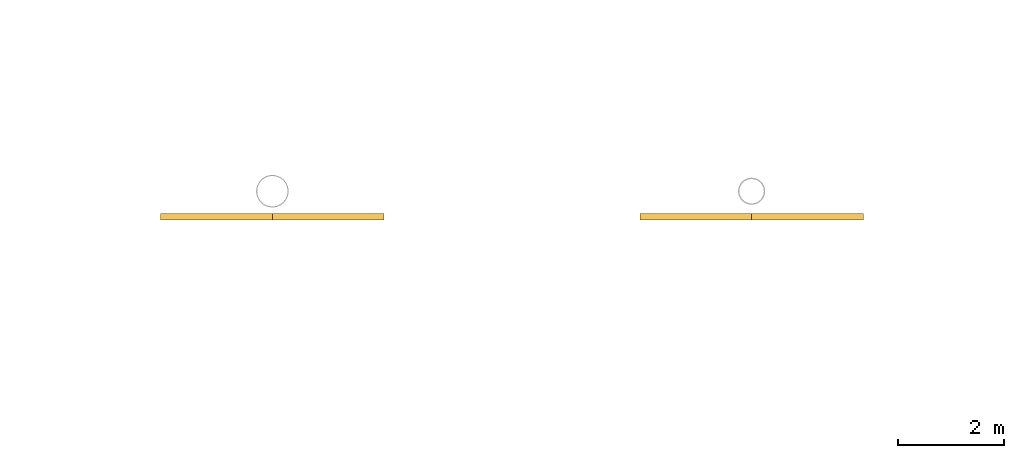
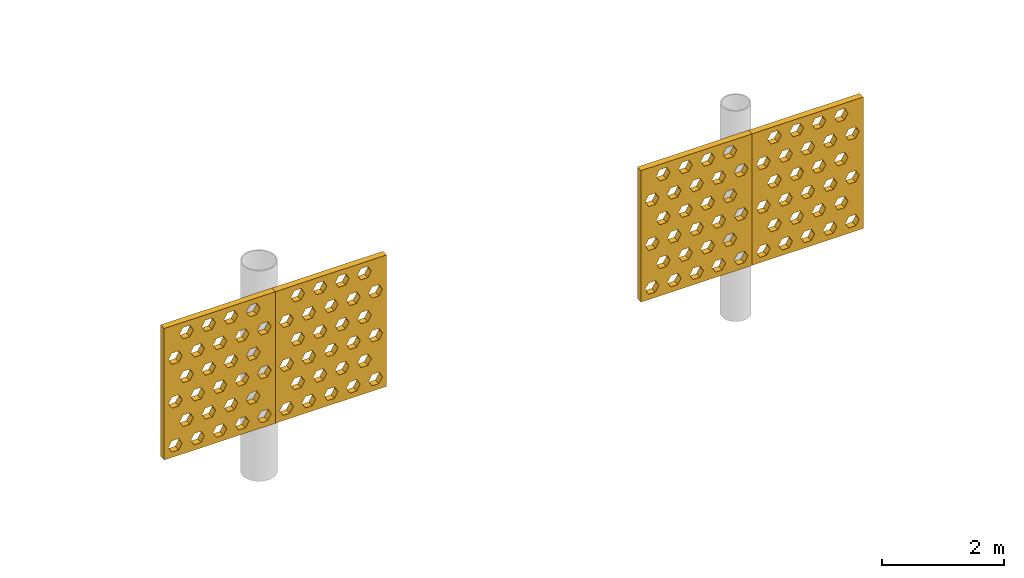
# One storey, part 107 of 123: 4 shading devices.
"""IFC4 building model written with IfcOpenShell, lengths in metres."""

from ifc_helpers import new_model, si_unit, direction, frame, origin, place, context, subcontext, project, spatial, polyline, outline, extrude, material, layer, layer_set, type_object, element, save


model = new_model("IFC4")

# Units and contexts
model_context = context("Model", 3, precision=1e-05, world=origin(), true_north=direction((0.0, 1.0)))
body_context = subcontext(model_context, "Body", "Model", "MODEL_VIEW")
ifc_project = project(units=[si_unit("LENGTHUNIT", "METRE"), si_unit("AREAUNIT", "SQUARE_METRE"), si_unit("VOLUMEUNIT", "CUBIC_METRE"), si_unit("PLANEANGLEUNIT", "RADIAN"), si_unit("MASSUNIT", "GRAM", prefix="KILO")], contexts=[model_context])

# Site, building, storey
site_placement = place(None, origin())
site = spatial("IfcSite", under=ifc_project, at=site_placement, CompositionType="ELEMENT")
building_placement = place(site_placement, origin())
building = spatial("IfcBuilding", under=site, at=building_placement, Name="Baradari Gate Terminus", CompositionType="ELEMENT")
storey_placement = place(building_placement, frame((0.0, 0.0, 7.5)))
storey = spatial("IfcBuildingStorey", under=building, at=storey_placement, Name="L01", CompositionType="ELEMENT", Elevation=7.5)

# Shading devices
ifc_material = material(Name="Concrete C50/60 precast", Category="concrete")
ifc_layer = layer(ifc_material, 0.1201171875)
ifc_layer_set = layer_set([ifc_layer], Name="Concrete C50/60 precast")
shading_device_type = type_object("IfcShadingDeviceType", Name="Jali screen panel JS-2 120", PredefinedType="SHUTTER", material=ifc_layer_set)
shading_device_1_placement = place(storey_placement, frame((186.89990234375, 35.52001953125, 1.27490234375), z_axis=(0.0, 0.0, 1.0), x_axis=(1.0, 0.0, 0.0)))
element("IfcShadingDevice", 1, at=shading_device_1_placement, inside=storey, type_object=shading_device_type, Name="Jali screen panel JS-2 SC03c row 4 panel 1", PredefinedType="SHUTTER", context=body_context, shape_type="SweptSolid", body=[
    extrude(outline(polyline([(0.0, 0.0), (2.10009765625, 0.0), (2.10009765625, 2.625), (0.0, 2.625), (0.0, 0.0)]), holes=[polyline([(0.340087890625, 0.21875), (0.27490234375, 0.106201171875), (0.14501953125, 0.106201171875), (0.080078125, 0.21875), (0.14501953125, 0.33154296875), (0.27490234375, 0.33154296875), (0.340087890625, 0.21875)]), polyline([(0.760009765625, 0.21875), (0.695068359375, 0.106201171875), (0.56494140625, 0.106201171875), (0.5, 0.21875), (0.56494140625, 0.33154296875), (0.695068359375, 0.33154296875), (0.760009765625, 0.21875)]), polyline([(1.179931640625, 0.21875), (1.114990234375, 0.106201171875), (0.985107421875, 0.106201171875), (0.919921875, 0.21875), (0.985107421875, 0.33154296875), (1.114990234375, 0.33154296875), (1.179931640625, 0.21875)]), polyline([(1.60009765625, 0.21875), (1.534912109375, 0.106201171875), (1.405029296875, 0.106201171875), (1.340087890625, 0.21875), (1.405029296875, 0.33154296875), (1.534912109375, 0.33154296875), (1.60009765625, 0.21875)]), polyline([(2.02001953125, 0.21875), (1.955078125, 0.106201171875), (1.824951171875, 0.106201171875), (1.760009765625, 0.21875), (1.824951171875, 0.33154296875), (1.955078125, 0.33154296875), (2.02001953125, 0.21875)]), polyline([(0.550048828125, 0.65625), (0.485107421875, 0.543701171875), (0.35498046875, 0.543701171875), (0.2900390625, 0.65625), (0.35498046875, 0.76904296875), (0.485107421875, 0.76904296875), (0.550048828125, 0.65625)]), polyline([(0.969970703125, 0.65625), (0.905029296875, 0.543701171875), (0.77490234375, 0.543701171875), (0.7099609375, 0.65625), (0.77490234375, 0.76904296875), (0.905029296875, 0.76904296875), (0.969970703125, 0.65625)]), polyline([(1.389892578125, 0.65625), (1.324951171875, 0.543701171875), (1.195068359375, 0.543701171875), (1.1298828125, 0.65625), (1.195068359375, 0.76904296875), (1.324951171875, 0.76904296875), (1.389892578125, 0.65625)]), polyline([(1.81005859375, 0.65625), (1.7451171875, 0.543701171875), (1.614990234375, 0.543701171875), (1.550048828125, 0.65625), (1.614990234375, 0.76904296875), (1.7451171875, 0.76904296875), (1.81005859375, 0.65625)]), polyline([(0.340087890625, 1.09375), (0.27490234375, 0.981201171875), (0.14501953125, 0.981201171875), (0.080078125, 1.09375), (0.14501953125, 1.20654296875), (0.27490234375, 1.20654296875), (0.340087890625, 1.09375)]), polyline([(0.760009765625, 1.09375), (0.695068359375, 0.981201171875), (0.56494140625, 0.981201171875), (0.5, 1.09375), (0.56494140625, 1.20654296875), (0.695068359375, 1.20654296875), (0.760009765625, 1.09375)]), polyline([(1.179931640625, 1.09375), (1.114990234375, 0.981201171875), (0.985107421875, 0.981201171875), (0.919921875, 1.09375), (0.985107421875, 1.20654296875), (1.114990234375, 1.20654296875), (1.179931640625, 1.09375)]), polyline([(1.60009765625, 1.09375), (1.534912109375, 0.981201171875), (1.405029296875, 0.981201171875), (1.340087890625, 1.09375), (1.405029296875, 1.20654296875), (1.534912109375, 1.20654296875), (1.60009765625, 1.09375)]), polyline([(2.02001953125, 1.09375), (1.955078125, 0.981201171875), (1.824951171875, 0.981201171875), (1.760009765625, 1.09375), (1.824951171875, 1.20654296875), (1.955078125, 1.20654296875), (2.02001953125, 1.09375)]), polyline([(0.550048828125, 1.53125), (0.485107421875, 1.418701171875), (0.35498046875, 1.418701171875), (0.2900390625, 1.53125), (0.35498046875, 1.64404296875), (0.485107421875, 1.64404296875), (0.550048828125, 1.53125)]), polyline([(0.969970703125, 1.53125), (0.905029296875, 1.418701171875), (0.77490234375, 1.418701171875), (0.7099609375, 1.53125), (0.77490234375, 1.64404296875), (0.905029296875, 1.64404296875), (0.969970703125, 1.53125)]), polyline([(1.389892578125, 1.53125), (1.324951171875, 1.418701171875), (1.195068359375, 1.418701171875), (1.1298828125, 1.53125), (1.195068359375, 1.64404296875), (1.324951171875, 1.64404296875), (1.389892578125, 1.53125)]), polyline([(1.81005859375, 1.53125), (1.7451171875, 1.418701171875), (1.614990234375, 1.418701171875), (1.550048828125, 1.53125), (1.614990234375, 1.64404296875), (1.7451171875, 1.64404296875), (1.81005859375, 1.53125)]), polyline([(0.340087890625, 1.96875), (0.27490234375, 1.856201171875), (0.14501953125, 1.856201171875), (0.080078125, 1.96875), (0.14501953125, 2.08154296875), (0.27490234375, 2.08154296875), (0.340087890625, 1.96875)]), polyline([(0.760009765625, 1.96875), (0.695068359375, 1.856201171875), (0.56494140625, 1.856201171875), (0.5, 1.96875), (0.56494140625, 2.08154296875), (0.695068359375, 2.08154296875), (0.760009765625, 1.96875)]), polyline([(1.179931640625, 1.96875), (1.114990234375, 1.856201171875), (0.985107421875, 1.856201171875), (0.919921875, 1.96875), (0.985107421875, 2.08154296875), (1.114990234375, 2.08154296875), (1.179931640625, 1.96875)]), polyline([(1.60009765625, 1.96875), (1.534912109375, 1.856201171875), (1.405029296875, 1.856201171875), (1.340087890625, 1.96875), (1.405029296875, 2.08154296875), (1.534912109375, 2.08154296875), (1.60009765625, 1.96875)]), polyline([(2.02001953125, 1.96875), (1.955078125, 1.856201171875), (1.824951171875, 1.856201171875), (1.760009765625, 1.96875), (1.824951171875, 2.08154296875), (1.955078125, 2.08154296875), (2.02001953125, 1.96875)]), polyline([(0.550048828125, 2.40625), (0.485107421875, 2.293701171875), (0.35498046875, 2.293701171875), (0.2900390625, 2.40625), (0.35498046875, 2.51904296875), (0.485107421875, 2.51904296875), (0.550048828125, 2.40625)]), polyline([(0.969970703125, 2.40625), (0.905029296875, 2.293701171875), (0.77490234375, 2.293701171875), (0.7099609375, 2.40625), (0.77490234375, 2.51904296875), (0.905029296875, 2.51904296875), (0.969970703125, 2.40625)]), polyline([(1.389892578125, 2.40625), (1.324951171875, 2.293701171875), (1.195068359375, 2.293701171875), (1.1298828125, 2.40625), (1.195068359375, 2.51904296875), (1.324951171875, 2.51904296875), (1.389892578125, 2.40625)]), polyline([(1.81005859375, 2.40625), (1.7451171875, 2.293701171875), (1.614990234375, 2.293701171875), (1.550048828125, 2.40625), (1.614990234375, 2.51904296875), (1.7451171875, 2.51904296875), (1.81005859375, 2.40625)])]), frame((0.0, 0.06005859375, 0.0), z_axis=(0.0, -1.0, 0.0), x_axis=(1.0, 0.0, 0.0)), (0.0, 0.0, 1.0), 0.1201171875),
])
shading_device_2_placement = place(storey_placement, frame((189.0, 35.52001953125, 1.27490234375), z_axis=(0.0, 0.0, 1.0), x_axis=(1.0, 0.0, 0.0)))
element("IfcShadingDevice", 2, at=shading_device_2_placement, inside=storey, type_object=shading_device_type, Name="Jali screen panel JS-2 SC04a row 4 panel 1", PredefinedType="SHUTTER", context=body_context, shape_type="SweptSolid", body=[
    extrude(outline(polyline([(0.0, 0.0), (2.10009765625, 0.0), (2.10009765625, 2.625), (0.0, 2.625), (0.0, 0.0)]), holes=[polyline([(0.340087890625, 0.21875), (0.27490234375, 0.106201171875), (0.14501953125, 0.106201171875), (0.080078125, 0.21875), (0.14501953125, 0.33154296875), (0.27490234375, 0.33154296875), (0.340087890625, 0.21875)]), polyline([(0.760009765625, 0.21875), (0.695068359375, 0.106201171875), (0.56494140625, 0.106201171875), (0.5, 0.21875), (0.56494140625, 0.33154296875), (0.695068359375, 0.33154296875), (0.760009765625, 0.21875)]), polyline([(1.179931640625, 0.21875), (1.114990234375, 0.106201171875), (0.985107421875, 0.106201171875), (0.919921875, 0.21875), (0.985107421875, 0.33154296875), (1.114990234375, 0.33154296875), (1.179931640625, 0.21875)]), polyline([(1.60009765625, 0.21875), (1.534912109375, 0.106201171875), (1.405029296875, 0.106201171875), (1.340087890625, 0.21875), (1.405029296875, 0.33154296875), (1.534912109375, 0.33154296875), (1.60009765625, 0.21875)]), polyline([(2.02001953125, 0.21875), (1.955078125, 0.106201171875), (1.824951171875, 0.106201171875), (1.760009765625, 0.21875), (1.824951171875, 0.33154296875), (1.955078125, 0.33154296875), (2.02001953125, 0.21875)]), polyline([(0.550048828125, 0.65625), (0.485107421875, 0.543701171875), (0.35498046875, 0.543701171875), (0.2900390625, 0.65625), (0.35498046875, 0.76904296875), (0.485107421875, 0.76904296875), (0.550048828125, 0.65625)]), polyline([(0.969970703125, 0.65625), (0.905029296875, 0.543701171875), (0.77490234375, 0.543701171875), (0.7099609375, 0.65625), (0.77490234375, 0.76904296875), (0.905029296875, 0.76904296875), (0.969970703125, 0.65625)]), polyline([(1.389892578125, 0.65625), (1.324951171875, 0.543701171875), (1.195068359375, 0.543701171875), (1.1298828125, 0.65625), (1.195068359375, 0.76904296875), (1.324951171875, 0.76904296875), (1.389892578125, 0.65625)]), polyline([(1.81005859375, 0.65625), (1.7451171875, 0.543701171875), (1.614990234375, 0.543701171875), (1.550048828125, 0.65625), (1.614990234375, 0.76904296875), (1.7451171875, 0.76904296875), (1.81005859375, 0.65625)]), polyline([(0.340087890625, 1.09375), (0.27490234375, 0.981201171875), (0.14501953125, 0.981201171875), (0.080078125, 1.09375), (0.14501953125, 1.20654296875), (0.27490234375, 1.20654296875), (0.340087890625, 1.09375)]), polyline([(0.760009765625, 1.09375), (0.695068359375, 0.981201171875), (0.56494140625, 0.981201171875), (0.5, 1.09375), (0.56494140625, 1.20654296875), (0.695068359375, 1.20654296875), (0.760009765625, 1.09375)]), polyline([(1.179931640625, 1.09375), (1.114990234375, 0.981201171875), (0.985107421875, 0.981201171875), (0.919921875, 1.09375), (0.985107421875, 1.20654296875), (1.114990234375, 1.20654296875), (1.179931640625, 1.09375)]), polyline([(1.60009765625, 1.09375), (1.534912109375, 0.981201171875), (1.405029296875, 0.981201171875), (1.340087890625, 1.09375), (1.405029296875, 1.20654296875), (1.534912109375, 1.20654296875), (1.60009765625, 1.09375)]), polyline([(2.02001953125, 1.09375), (1.955078125, 0.981201171875), (1.824951171875, 0.981201171875), (1.760009765625, 1.09375), (1.824951171875, 1.20654296875), (1.955078125, 1.20654296875), (2.02001953125, 1.09375)]), polyline([(0.550048828125, 1.53125), (0.485107421875, 1.418701171875), (0.35498046875, 1.418701171875), (0.2900390625, 1.53125), (0.35498046875, 1.64404296875), (0.485107421875, 1.64404296875), (0.550048828125, 1.53125)]), polyline([(0.969970703125, 1.53125), (0.905029296875, 1.418701171875), (0.77490234375, 1.418701171875), (0.7099609375, 1.53125), (0.77490234375, 1.64404296875), (0.905029296875, 1.64404296875), (0.969970703125, 1.53125)]), polyline([(1.389892578125, 1.53125), (1.324951171875, 1.418701171875), (1.195068359375, 1.418701171875), (1.1298828125, 1.53125), (1.195068359375, 1.64404296875), (1.324951171875, 1.64404296875), (1.389892578125, 1.53125)]), polyline([(1.81005859375, 1.53125), (1.7451171875, 1.418701171875), (1.614990234375, 1.418701171875), (1.550048828125, 1.53125), (1.614990234375, 1.64404296875), (1.7451171875, 1.64404296875), (1.81005859375, 1.53125)]), polyline([(0.340087890625, 1.96875), (0.27490234375, 1.856201171875), (0.14501953125, 1.856201171875), (0.080078125, 1.96875), (0.14501953125, 2.08154296875), (0.27490234375, 2.08154296875), (0.340087890625, 1.96875)]), polyline([(0.760009765625, 1.96875), (0.695068359375, 1.856201171875), (0.56494140625, 1.856201171875), (0.5, 1.96875), (0.56494140625, 2.08154296875), (0.695068359375, 2.08154296875), (0.760009765625, 1.96875)]), polyline([(1.179931640625, 1.96875), (1.114990234375, 1.856201171875), (0.985107421875, 1.856201171875), (0.919921875, 1.96875), (0.985107421875, 2.08154296875), (1.114990234375, 2.08154296875), (1.179931640625, 1.96875)]), polyline([(1.60009765625, 1.96875), (1.534912109375, 1.856201171875), (1.405029296875, 1.856201171875), (1.340087890625, 1.96875), (1.405029296875, 2.08154296875), (1.534912109375, 2.08154296875), (1.60009765625, 1.96875)]), polyline([(2.02001953125, 1.96875), (1.955078125, 1.856201171875), (1.824951171875, 1.856201171875), (1.760009765625, 1.96875), (1.824951171875, 2.08154296875), (1.955078125, 2.08154296875), (2.02001953125, 1.96875)]), polyline([(0.550048828125, 2.40625), (0.485107421875, 2.293701171875), (0.35498046875, 2.293701171875), (0.2900390625, 2.40625), (0.35498046875, 2.51904296875), (0.485107421875, 2.51904296875), (0.550048828125, 2.40625)]), polyline([(0.969970703125, 2.40625), (0.905029296875, 2.293701171875), (0.77490234375, 2.293701171875), (0.7099609375, 2.40625), (0.77490234375, 2.51904296875), (0.905029296875, 2.51904296875), (0.969970703125, 2.40625)]), polyline([(1.389892578125, 2.40625), (1.324951171875, 2.293701171875), (1.195068359375, 2.293701171875), (1.1298828125, 2.40625), (1.195068359375, 2.51904296875), (1.324951171875, 2.51904296875), (1.389892578125, 2.40625)]), polyline([(1.81005859375, 2.40625), (1.7451171875, 2.293701171875), (1.614990234375, 2.293701171875), (1.550048828125, 2.40625), (1.614990234375, 2.51904296875), (1.7451171875, 2.51904296875), (1.81005859375, 2.40625)])]), frame((0.0, 0.06005859375, 0.0), z_axis=(0.0, -1.0, 0.0), x_axis=(1.0, 0.0, 0.0)), (0.0, 0.0, 1.0), 0.1201171875),
])
shading_device_3_placement = place(storey_placement, frame((195.89990234375, 35.52001953125, 1.27490234375), z_axis=(0.0, 0.0, 1.0), x_axis=(1.0, 0.0, 0.0)))
element("IfcShadingDevice", 3, at=shading_device_3_placement, inside=storey, type_object=shading_device_type, Name="Jali screen panel JS-2 SC04c row 4 panel 1", PredefinedType="SHUTTER", context=body_context, shape_type="SweptSolid", body=[
    extrude(outline(polyline([(0.0, 0.0), (2.10009765625, 0.0), (2.10009765625, 2.625), (0.0, 2.625), (0.0, 0.0)]), holes=[polyline([(0.340087890625, 0.21875), (0.27490234375, 0.106201171875), (0.14501953125, 0.106201171875), (0.080078125, 0.21875), (0.14501953125, 0.33154296875), (0.27490234375, 0.33154296875), (0.340087890625, 0.21875)]), polyline([(0.760009765625, 0.21875), (0.695068359375, 0.106201171875), (0.56494140625, 0.106201171875), (0.5, 0.21875), (0.56494140625, 0.33154296875), (0.695068359375, 0.33154296875), (0.760009765625, 0.21875)]), polyline([(1.179931640625, 0.21875), (1.114990234375, 0.106201171875), (0.985107421875, 0.106201171875), (0.919921875, 0.21875), (0.985107421875, 0.33154296875), (1.114990234375, 0.33154296875), (1.179931640625, 0.21875)]), polyline([(1.60009765625, 0.21875), (1.534912109375, 0.106201171875), (1.405029296875, 0.106201171875), (1.340087890625, 0.21875), (1.405029296875, 0.33154296875), (1.534912109375, 0.33154296875), (1.60009765625, 0.21875)]), polyline([(2.02001953125, 0.21875), (1.955078125, 0.106201171875), (1.824951171875, 0.106201171875), (1.760009765625, 0.21875), (1.824951171875, 0.33154296875), (1.955078125, 0.33154296875), (2.02001953125, 0.21875)]), polyline([(0.550048828125, 0.65625), (0.485107421875, 0.543701171875), (0.35498046875, 0.543701171875), (0.2900390625, 0.65625), (0.35498046875, 0.76904296875), (0.485107421875, 0.76904296875), (0.550048828125, 0.65625)]), polyline([(0.969970703125, 0.65625), (0.905029296875, 0.543701171875), (0.77490234375, 0.543701171875), (0.7099609375, 0.65625), (0.77490234375, 0.76904296875), (0.905029296875, 0.76904296875), (0.969970703125, 0.65625)]), polyline([(1.389892578125, 0.65625), (1.324951171875, 0.543701171875), (1.195068359375, 0.543701171875), (1.1298828125, 0.65625), (1.195068359375, 0.76904296875), (1.324951171875, 0.76904296875), (1.389892578125, 0.65625)]), polyline([(1.81005859375, 0.65625), (1.7451171875, 0.543701171875), (1.614990234375, 0.543701171875), (1.550048828125, 0.65625), (1.614990234375, 0.76904296875), (1.7451171875, 0.76904296875), (1.81005859375, 0.65625)]), polyline([(0.340087890625, 1.09375), (0.27490234375, 0.981201171875), (0.14501953125, 0.981201171875), (0.080078125, 1.09375), (0.14501953125, 1.20654296875), (0.27490234375, 1.20654296875), (0.340087890625, 1.09375)]), polyline([(0.760009765625, 1.09375), (0.695068359375, 0.981201171875), (0.56494140625, 0.981201171875), (0.5, 1.09375), (0.56494140625, 1.20654296875), (0.695068359375, 1.20654296875), (0.760009765625, 1.09375)]), polyline([(1.179931640625, 1.09375), (1.114990234375, 0.981201171875), (0.985107421875, 0.981201171875), (0.919921875, 1.09375), (0.985107421875, 1.20654296875), (1.114990234375, 1.20654296875), (1.179931640625, 1.09375)]), polyline([(1.60009765625, 1.09375), (1.534912109375, 0.981201171875), (1.405029296875, 0.981201171875), (1.340087890625, 1.09375), (1.405029296875, 1.20654296875), (1.534912109375, 1.20654296875), (1.60009765625, 1.09375)]), polyline([(2.02001953125, 1.09375), (1.955078125, 0.981201171875), (1.824951171875, 0.981201171875), (1.760009765625, 1.09375), (1.824951171875, 1.20654296875), (1.955078125, 1.20654296875), (2.02001953125, 1.09375)]), polyline([(0.550048828125, 1.53125), (0.485107421875, 1.418701171875), (0.35498046875, 1.418701171875), (0.2900390625, 1.53125), (0.35498046875, 1.64404296875), (0.485107421875, 1.64404296875), (0.550048828125, 1.53125)]), polyline([(0.969970703125, 1.53125), (0.905029296875, 1.418701171875), (0.77490234375, 1.418701171875), (0.7099609375, 1.53125), (0.77490234375, 1.64404296875), (0.905029296875, 1.64404296875), (0.969970703125, 1.53125)]), polyline([(1.389892578125, 1.53125), (1.324951171875, 1.418701171875), (1.195068359375, 1.418701171875), (1.1298828125, 1.53125), (1.195068359375, 1.64404296875), (1.324951171875, 1.64404296875), (1.389892578125, 1.53125)]), polyline([(1.81005859375, 1.53125), (1.7451171875, 1.418701171875), (1.614990234375, 1.418701171875), (1.550048828125, 1.53125), (1.614990234375, 1.64404296875), (1.7451171875, 1.64404296875), (1.81005859375, 1.53125)]), polyline([(0.340087890625, 1.96875), (0.27490234375, 1.856201171875), (0.14501953125, 1.856201171875), (0.080078125, 1.96875), (0.14501953125, 2.08154296875), (0.27490234375, 2.08154296875), (0.340087890625, 1.96875)]), polyline([(0.760009765625, 1.96875), (0.695068359375, 1.856201171875), (0.56494140625, 1.856201171875), (0.5, 1.96875), (0.56494140625, 2.08154296875), (0.695068359375, 2.08154296875), (0.760009765625, 1.96875)]), polyline([(1.179931640625, 1.96875), (1.114990234375, 1.856201171875), (0.985107421875, 1.856201171875), (0.919921875, 1.96875), (0.985107421875, 2.08154296875), (1.114990234375, 2.08154296875), (1.179931640625, 1.96875)]), polyline([(1.60009765625, 1.96875), (1.534912109375, 1.856201171875), (1.405029296875, 1.856201171875), (1.340087890625, 1.96875), (1.405029296875, 2.08154296875), (1.534912109375, 2.08154296875), (1.60009765625, 1.96875)]), polyline([(2.02001953125, 1.96875), (1.955078125, 1.856201171875), (1.824951171875, 1.856201171875), (1.760009765625, 1.96875), (1.824951171875, 2.08154296875), (1.955078125, 2.08154296875), (2.02001953125, 1.96875)]), polyline([(0.550048828125, 2.40625), (0.485107421875, 2.293701171875), (0.35498046875, 2.293701171875), (0.2900390625, 2.40625), (0.35498046875, 2.51904296875), (0.485107421875, 2.51904296875), (0.550048828125, 2.40625)]), polyline([(0.969970703125, 2.40625), (0.905029296875, 2.293701171875), (0.77490234375, 2.293701171875), (0.7099609375, 2.40625), (0.77490234375, 2.51904296875), (0.905029296875, 2.51904296875), (0.969970703125, 2.40625)]), polyline([(1.389892578125, 2.40625), (1.324951171875, 2.293701171875), (1.195068359375, 2.293701171875), (1.1298828125, 2.40625), (1.195068359375, 2.51904296875), (1.324951171875, 2.51904296875), (1.389892578125, 2.40625)]), polyline([(1.81005859375, 2.40625), (1.7451171875, 2.293701171875), (1.614990234375, 2.293701171875), (1.550048828125, 2.40625), (1.614990234375, 2.51904296875), (1.7451171875, 2.51904296875), (1.81005859375, 2.40625)])]), frame((0.0, 0.06005859375, 0.0), z_axis=(0.0, -1.0, 0.0), x_axis=(1.0, 0.0, 0.0)), (0.0, 0.0, 1.0), 0.1201171875),
])
shading_device_4_placement = place(storey_placement, frame((198.0, 35.52001953125, 1.27490234375), z_axis=(0.0, 0.0, 1.0), x_axis=(1.0, 0.0, 0.0)))
element("IfcShadingDevice", 4, at=shading_device_4_placement, inside=storey, type_object=shading_device_type, Name="Jali screen panel JS-2 SC05a row 4 panel 1", PredefinedType="SHUTTER", context=body_context, shape_type="SweptSolid", body=[
    extrude(outline(polyline([(0.0, 0.0), (2.10009765625, 0.0), (2.10009765625, 2.625), (0.0, 2.625), (0.0, 0.0)]), holes=[polyline([(0.340087890625, 0.21875), (0.27490234375, 0.106201171875), (0.14501953125, 0.106201171875), (0.080078125, 0.21875), (0.14501953125, 0.33154296875), (0.27490234375, 0.33154296875), (0.340087890625, 0.21875)]), polyline([(0.760009765625, 0.21875), (0.695068359375, 0.106201171875), (0.56494140625, 0.106201171875), (0.5, 0.21875), (0.56494140625, 0.33154296875), (0.695068359375, 0.33154296875), (0.760009765625, 0.21875)]), polyline([(1.179931640625, 0.21875), (1.114990234375, 0.106201171875), (0.985107421875, 0.106201171875), (0.919921875, 0.21875), (0.985107421875, 0.33154296875), (1.114990234375, 0.33154296875), (1.179931640625, 0.21875)]), polyline([(1.60009765625, 0.21875), (1.534912109375, 0.106201171875), (1.405029296875, 0.106201171875), (1.340087890625, 0.21875), (1.405029296875, 0.33154296875), (1.534912109375, 0.33154296875), (1.60009765625, 0.21875)]), polyline([(2.02001953125, 0.21875), (1.955078125, 0.106201171875), (1.824951171875, 0.106201171875), (1.760009765625, 0.21875), (1.824951171875, 0.33154296875), (1.955078125, 0.33154296875), (2.02001953125, 0.21875)]), polyline([(0.550048828125, 0.65625), (0.485107421875, 0.543701171875), (0.35498046875, 0.543701171875), (0.2900390625, 0.65625), (0.35498046875, 0.76904296875), (0.485107421875, 0.76904296875), (0.550048828125, 0.65625)]), polyline([(0.969970703125, 0.65625), (0.905029296875, 0.543701171875), (0.77490234375, 0.543701171875), (0.7099609375, 0.65625), (0.77490234375, 0.76904296875), (0.905029296875, 0.76904296875), (0.969970703125, 0.65625)]), polyline([(1.389892578125, 0.65625), (1.324951171875, 0.543701171875), (1.195068359375, 0.543701171875), (1.1298828125, 0.65625), (1.195068359375, 0.76904296875), (1.324951171875, 0.76904296875), (1.389892578125, 0.65625)]), polyline([(1.81005859375, 0.65625), (1.7451171875, 0.543701171875), (1.614990234375, 0.543701171875), (1.550048828125, 0.65625), (1.614990234375, 0.76904296875), (1.7451171875, 0.76904296875), (1.81005859375, 0.65625)]), polyline([(0.340087890625, 1.09375), (0.27490234375, 0.981201171875), (0.14501953125, 0.981201171875), (0.080078125, 1.09375), (0.14501953125, 1.20654296875), (0.27490234375, 1.20654296875), (0.340087890625, 1.09375)]), polyline([(0.760009765625, 1.09375), (0.695068359375, 0.981201171875), (0.56494140625, 0.981201171875), (0.5, 1.09375), (0.56494140625, 1.20654296875), (0.695068359375, 1.20654296875), (0.760009765625, 1.09375)]), polyline([(1.179931640625, 1.09375), (1.114990234375, 0.981201171875), (0.985107421875, 0.981201171875), (0.919921875, 1.09375), (0.985107421875, 1.20654296875), (1.114990234375, 1.20654296875), (1.179931640625, 1.09375)]), polyline([(1.60009765625, 1.09375), (1.534912109375, 0.981201171875), (1.405029296875, 0.981201171875), (1.340087890625, 1.09375), (1.405029296875, 1.20654296875), (1.534912109375, 1.20654296875), (1.60009765625, 1.09375)]), polyline([(2.02001953125, 1.09375), (1.955078125, 0.981201171875), (1.824951171875, 0.981201171875), (1.760009765625, 1.09375), (1.824951171875, 1.20654296875), (1.955078125, 1.20654296875), (2.02001953125, 1.09375)]), polyline([(0.550048828125, 1.53125), (0.485107421875, 1.418701171875), (0.35498046875, 1.418701171875), (0.2900390625, 1.53125), (0.35498046875, 1.64404296875), (0.485107421875, 1.64404296875), (0.550048828125, 1.53125)]), polyline([(0.969970703125, 1.53125), (0.905029296875, 1.418701171875), (0.77490234375, 1.418701171875), (0.7099609375, 1.53125), (0.77490234375, 1.64404296875), (0.905029296875, 1.64404296875), (0.969970703125, 1.53125)]), polyline([(1.389892578125, 1.53125), (1.324951171875, 1.418701171875), (1.195068359375, 1.418701171875), (1.1298828125, 1.53125), (1.195068359375, 1.64404296875), (1.324951171875, 1.64404296875), (1.389892578125, 1.53125)]), polyline([(1.81005859375, 1.53125), (1.7451171875, 1.418701171875), (1.614990234375, 1.418701171875), (1.550048828125, 1.53125), (1.614990234375, 1.64404296875), (1.7451171875, 1.64404296875), (1.81005859375, 1.53125)]), polyline([(0.340087890625, 1.96875), (0.27490234375, 1.856201171875), (0.14501953125, 1.856201171875), (0.080078125, 1.96875), (0.14501953125, 2.08154296875), (0.27490234375, 2.08154296875), (0.340087890625, 1.96875)]), polyline([(0.760009765625, 1.96875), (0.695068359375, 1.856201171875), (0.56494140625, 1.856201171875), (0.5, 1.96875), (0.56494140625, 2.08154296875), (0.695068359375, 2.08154296875), (0.760009765625, 1.96875)]), polyline([(1.179931640625, 1.96875), (1.114990234375, 1.856201171875), (0.985107421875, 1.856201171875), (0.919921875, 1.96875), (0.985107421875, 2.08154296875), (1.114990234375, 2.08154296875), (1.179931640625, 1.96875)]), polyline([(1.60009765625, 1.96875), (1.534912109375, 1.856201171875), (1.405029296875, 1.856201171875), (1.340087890625, 1.96875), (1.405029296875, 2.08154296875), (1.534912109375, 2.08154296875), (1.60009765625, 1.96875)]), polyline([(2.02001953125, 1.96875), (1.955078125, 1.856201171875), (1.824951171875, 1.856201171875), (1.760009765625, 1.96875), (1.824951171875, 2.08154296875), (1.955078125, 2.08154296875), (2.02001953125, 1.96875)]), polyline([(0.550048828125, 2.40625), (0.485107421875, 2.293701171875), (0.35498046875, 2.293701171875), (0.2900390625, 2.40625), (0.35498046875, 2.51904296875), (0.485107421875, 2.51904296875), (0.550048828125, 2.40625)]), polyline([(0.969970703125, 2.40625), (0.905029296875, 2.293701171875), (0.77490234375, 2.293701171875), (0.7099609375, 2.40625), (0.77490234375, 2.51904296875), (0.905029296875, 2.51904296875), (0.969970703125, 2.40625)]), polyline([(1.389892578125, 2.40625), (1.324951171875, 2.293701171875), (1.195068359375, 2.293701171875), (1.1298828125, 2.40625), (1.195068359375, 2.51904296875), (1.324951171875, 2.51904296875), (1.389892578125, 2.40625)]), polyline([(1.81005859375, 2.40625), (1.7451171875, 2.293701171875), (1.614990234375, 2.293701171875), (1.550048828125, 2.40625), (1.614990234375, 2.51904296875), (1.7451171875, 2.51904296875), (1.81005859375, 2.40625)])]), frame((0.0, 0.06005859375, 0.0), z_axis=(0.0, -1.0, 0.0), x_axis=(1.0, 0.0, 0.0)), (0.0, 0.0, 1.0), 0.1201171875),
])

save(model, "model.ifc")
